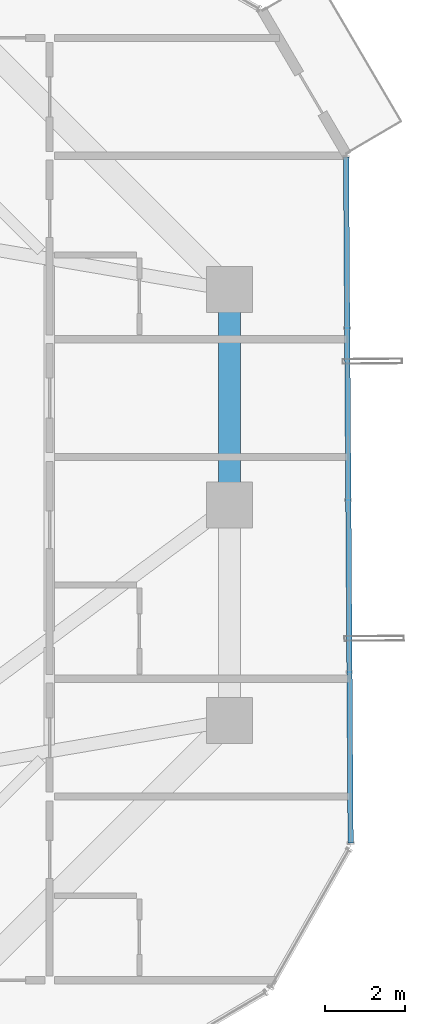
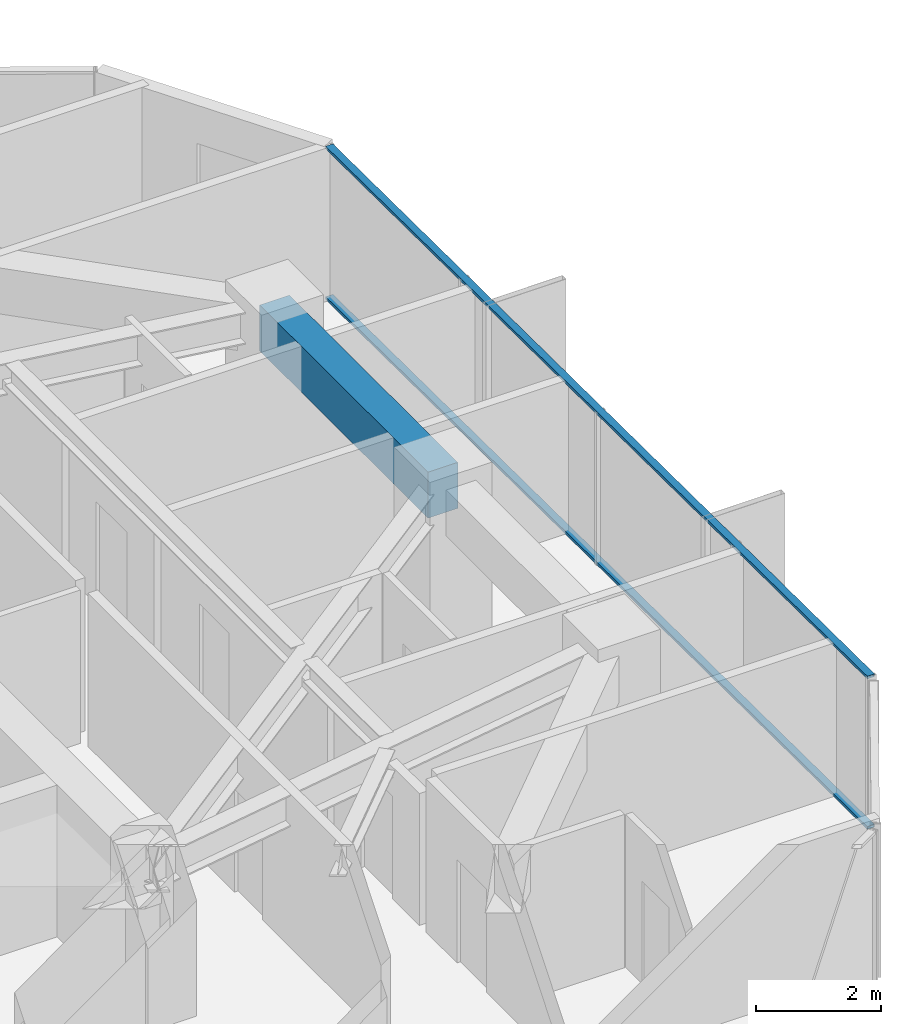
# One storey, part 15 of 30: 2 members, 1 beam, 1 element without a shape of its own.
"""IFC4 building model written with IfcOpenShell, lengths in metres."""

from ifc_helpers import new_model, si_unit, direction, frame, origin, origin_2d, place, context, subcontext, project, spatial, rectangle, hollow_rectangle, extrude, source, transform, mapped, material, layer, layer_set, material_profile, profile_set, type_object, element, aggregate, save


model = new_model("IFC4")

# Units and contexts
model_context = context("Model", 3, precision=1e-05, world=origin(), true_north=direction((0.0, 1.0)))
body_context = subcontext(model_context, "Body", "Model", "MODEL_VIEW")
ifc_project = project(units=[si_unit("LENGTHUNIT", "METRE"), si_unit("AREAUNIT", "SQUARE_METRE"), si_unit("VOLUMEUNIT", "CUBIC_METRE"), si_unit("PLANEANGLEUNIT", "RADIAN"), si_unit("MASSUNIT", "GRAM", prefix="KILO")], contexts=[model_context])

# Site, building, storey
site_placement = place(None, origin())
site = spatial("IfcSite", under=ifc_project, at=site_placement, CompositionType="ELEMENT")
building_placement = place(site_placement, origin())
building = spatial("IfcBuilding", under=site, at=building_placement, Name="Veraguas Prism Commons", CompositionType="ELEMENT")
storey_placement = place(building_placement, frame((0.0, 0.0, 129.5)))
storey = spatial("IfcBuildingStorey", under=building, at=storey_placement, Name="L36", CompositionType="ELEMENT", Elevation=129.5)

# Beam
ifc_material_1 = material(Name="Concrete C50/60", Category="concrete")
ifc_material_profile_1 = material_profile(ifc_material_1, rectangle(XDim=0.550048828125, YDim=0.89990234375, at=origin_2d()), Name="RC550X900")
ifc_profile_set_1 = profile_set([ifc_material_profile_1], Name="Concrete C50/60")
beam_type = type_object("IfcBeamType", Name="Perimeter Spandrel Lower RC 550x900", PredefinedType="SPANDREL", material=ifc_profile_set_1)
beam_placement = place(storey_placement, frame((40.199951171875, 24.0, 2.550048828125), z_axis=(0.0, 1.0, 0.0), x_axis=(-1.0, 0.0, 0.0)))
element("IfcBeam", 1, at=beam_placement, inside=storey, type_object=beam_type, Name="Perimeter Spandrel Beam L36-SP02", PredefinedType="SPANDREL", context=body_context, shape_type="SweptSolid", body=[
    extrude(rectangle(XDim=0.550048828125, YDim=0.89990234375, at=origin_2d()), origin(), (0.0, 0.0, 1.0), 5.39990234375),
])

# Curtain wall, members
ifc_material_2 = material(Name="Anodised aluminium EN AW-6063 T6", Category="aluminium")
ifc_layer = layer(ifc_material_2, 0.169921875, Name="Unitised Flush Curtain Wall Zone 2", Category="aluminium")
ifc_layer_set = layer_set([ifc_layer], Name="Anodised aluminium EN AW-6063 T6")
curtain_wall_type = type_object("IfcCurtainWallType", Name="Unitised Flush Curtain Wall Zone 2", PredefinedType="NOTDEFINED", material=ifc_layer_set)
curtain_wall_placement = place(storey_placement, origin())
curtain_wall = element("IfcCurtainWall", 2, at=curtain_wall_placement, inside=storey, type_object=curtain_wall_type, Name="Tower Facade Curtain Wall L36-F6", PredefinedType="NOTDEFINED")
ifc_material_profile_2 = material_profile(ifc_material_2, hollow_rectangle(XDim=0.054931640625, YDim=0.135009765625, WallThickness=0.0029296875, at=origin_2d()), Name="AL55X135X3")
ifc_profile_set_2 = profile_set([ifc_material_profile_2], Name="Anodised aluminium EN AW-6063 T6")
member_type = type_object("IfcMemberType", Name="Curtain Wall Transom Standard AL 55x135x3", PredefinedType="USERDEFINED", material=ifc_profile_set_2)
shared_shape = source(origin(), body_context, "Body", "SweptSolid", [
    extrude(hollow_rectangle(XDim=0.054931640625, YDim=0.135009765625, WallThickness=0.0029296875, at=origin_2d()), origin(), (0.0, 0.0, 1.0), 17.17431640625),
])
member_1_placement = place(storey_placement, frame((43.239013671875, 15.540283203125, 0.027587890625), z_axis=(-0.0066386573, 0.999977963872, 0.0), x_axis=(0.0, 0.0, 1.0)))
member_1 = element("IfcMember", 3, at=member_1_placement, type_object=member_type, Name="CW-Z2 Transom 1", ObjectType="TRANSOM", PredefinedType="USERDEFINED", context=body_context, shape_type="MappedRepresentation", body=[
    mapped(shared_shape, transform((0.0, 0.0, 0.0), scale=1.0)),
])
member_2_placement = place(storey_placement, frame((43.239013671875, 15.540283203125, 2.972412109375), z_axis=(-0.0066386573, 0.999977963872, 0.0), x_axis=(0.0, 0.0, 1.0)))
member_2 = element("IfcMember", 4, at=member_2_placement, type_object=member_type, Name="CW-Z2 Transom 2", ObjectType="TRANSOM", PredefinedType="USERDEFINED", context=body_context, shape_type="MappedRepresentation", body=[
    mapped(shared_shape, transform((0.0, 0.0, 0.0), scale=1.0)),
])
aggregate(curtain_wall, [member_1, member_2])

save(model, "model.ifc")
